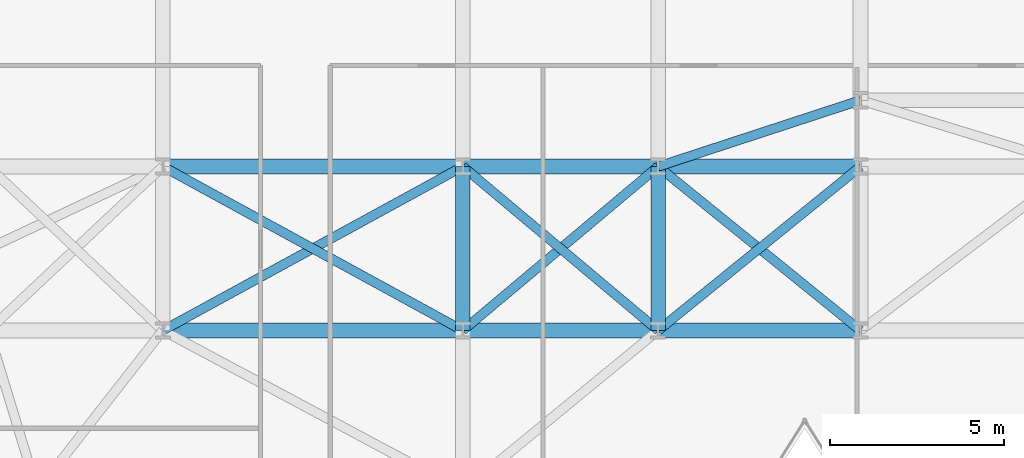
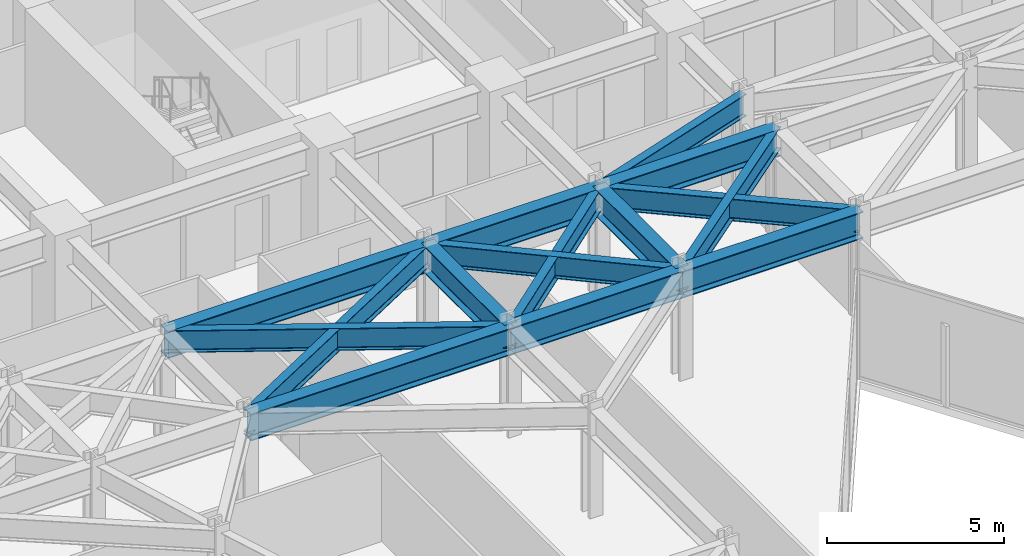
# One storey, part 11 of 24: 15 beams.
"""IFC4 building model written with IfcOpenShell, lengths in metres."""

from ifc_helpers import new_model, si_unit, direction, frame, origin, origin_2d, place, context, subcontext, project, spatial, i_section, extrude, material, material_profile, profile_set, type_object, element, save


model = new_model("IFC4")

# Units and contexts
model_context = context("Model", 3, precision=1e-05, world=origin(), true_north=direction((0.0, 1.0)))
body_context = subcontext(model_context, "Body", "Model", "MODEL_VIEW")
ifc_project = project(units=[si_unit("LENGTHUNIT", "METRE"), si_unit("AREAUNIT", "SQUARE_METRE"), si_unit("VOLUMEUNIT", "CUBIC_METRE"), si_unit("PLANEANGLEUNIT", "RADIAN"), si_unit("MASSUNIT", "GRAM", prefix="KILO")], contexts=[model_context])

# Site, building, storey
site_placement = place(None, origin())
site = spatial("IfcSite", under=ifc_project, at=site_placement, CompositionType="ELEMENT")
building_placement = place(site_placement, origin())
building = spatial("IfcBuilding", under=site, at=building_placement, Name="Kravanh Interchange Tower", CompositionType="ELEMENT")
storey_placement = place(building_placement, frame((0.0, 0.0, 69.5)))
storey = spatial("IfcBuildingStorey", under=building, at=storey_placement, Name="L16", CompositionType="ELEMENT", Elevation=69.5)

# Beams
ifc_material_1 = material(Name="Structural Steel S355", Category="steel")
ifc_material_profile_1 = material_profile(ifc_material_1, i_section(OverallWidth=0.41796875, OverallDepth=0.927001953125, WebThickness=0.019287109375, FlangeThickness=0.031982421875, FilletRadius=0.028076171875, at=origin_2d()), Name="W36X231")
ifc_profile_set_1 = profile_set([ifc_material_profile_1], Name="Structural Steel S355")
beam_type_1 = type_object("IfcBeamType", Name="Floor Beam W36X231 Structural Steel S355", PredefinedType="BEAM", material=ifc_profile_set_1)
beam_1_placement = place(storey_placement, frame((18.60009765625, 26.800048828125, 3.276611328125), z_axis=(1.0, 0.0, 0.0), x_axis=(0.0, 1.0, 0.0)))
element("IfcBeam", 1, at=beam_1_placement, inside=storey, type_object=beam_type_1, Name="L16 Primary Floor Girder 76", PredefinedType="BEAM", context=body_context, shape_type="SweptSolid", body=[
    extrude(i_section(OverallWidth=0.41796875, OverallDepth=0.927001953125, WebThickness=0.019287109375, FlangeThickness=0.031982421875, FilletRadius=0.028076171875, at=origin_2d()), origin(), (0.0, 0.0, 1.0), 8.599853515625),
])
beam_2_placement = place(storey_placement, frame((27.199951171875, 26.800048828125, 3.276611328125), z_axis=(0.0, 1.0, 0.0), x_axis=(-1.0, 0.0, 0.0)))
element("IfcBeam", 2, at=beam_2_placement, inside=storey, type_object=beam_type_1, Name="L16 Primary Floor Girder 78", PredefinedType="BEAM", context=body_context, shape_type="SweptSolid", body=[
    extrude(i_section(OverallWidth=0.41796875, OverallDepth=0.927001953125, WebThickness=0.019287109375, FlangeThickness=0.031982421875, FilletRadius=0.028076171875, at=origin_2d()), origin(), (0.0, 0.0, 1.0), 4.699951171875),
])
beam_3_placement = place(storey_placement, frame((27.199951171875, 26.800048828125, 3.276611328125), z_axis=(1.0, 0.0, 0.0), x_axis=(0.0, 1.0, 0.0)))
element("IfcBeam", 3, at=beam_3_placement, inside=storey, type_object=beam_type_1, Name="L16 Primary Floor Girder 79", PredefinedType="BEAM", context=body_context, shape_type="SweptSolid", body=[
    extrude(i_section(OverallWidth=0.41796875, OverallDepth=0.927001953125, WebThickness=0.019287109375, FlangeThickness=0.031982421875, FilletRadius=0.028076171875, at=origin_2d()), origin(), (0.0, 0.0, 1.0), 5.60009765625),
])
beam_4_placement = place(storey_placement, frame((32.800048828125, 26.800048828125, 3.276611328125), z_axis=(0.0, 1.0, 0.0), x_axis=(-1.0, 0.0, 0.0)))
element("IfcBeam", 4, at=beam_4_placement, inside=storey, type_object=beam_type_1, Name="L16 Primary Floor Girder 82", PredefinedType="BEAM", context=body_context, shape_type="SweptSolid", body=[
    extrude(i_section(OverallWidth=0.41796875, OverallDepth=0.927001953125, WebThickness=0.019287109375, FlangeThickness=0.031982421875, FilletRadius=0.028076171875, at=origin_2d()), origin(), (0.0, 0.0, 1.0), 4.699951171875),
])
beam_5_placement = place(storey_placement, frame((32.800048828125, 26.800048828125, 3.276611328125), z_axis=(1.0, 0.0, 0.0), x_axis=(0.0, 1.0, 0.0)))
element("IfcBeam", 5, at=beam_5_placement, inside=storey, type_object=beam_type_1, Name="L16 Primary Floor Girder 83", PredefinedType="BEAM", context=body_context, shape_type="SweptSolid", body=[
    extrude(i_section(OverallWidth=0.41796875, OverallDepth=0.927001953125, WebThickness=0.019287109375, FlangeThickness=0.031982421875, FilletRadius=0.028076171875, at=origin_2d()), origin(), (0.0, 0.0, 1.0), 5.800048828125),
])
beam_6_placement = place(storey_placement, frame((18.60009765625, 31.5, 3.276611328125), z_axis=(1.0, 0.0, 0.0), x_axis=(0.0, 1.0, 0.0)))
element("IfcBeam", 6, at=beam_6_placement, inside=storey, type_object=beam_type_1, Name="L16 Primary Floor Girder 106", PredefinedType="BEAM", context=body_context, shape_type="SweptSolid", body=[
    extrude(i_section(OverallWidth=0.41796875, OverallDepth=0.927001953125, WebThickness=0.019287109375, FlangeThickness=0.031982421875, FilletRadius=0.028076171875, at=origin_2d()), origin(), (0.0, 0.0, 1.0), 8.599853515625),
])
beam_7_placement = place(storey_placement, frame((27.199951171875, 31.5, 3.276611328125), z_axis=(1.0, 0.0, 0.0), x_axis=(0.0, 1.0, 0.0)))
element("IfcBeam", 7, at=beam_7_placement, inside=storey, type_object=beam_type_1, Name="L16 Primary Floor Girder 107", PredefinedType="BEAM", context=body_context, shape_type="SweptSolid", body=[
    extrude(i_section(OverallWidth=0.41796875, OverallDepth=0.927001953125, WebThickness=0.019287109375, FlangeThickness=0.031982421875, FilletRadius=0.028076171875, at=origin_2d()), origin(), (0.0, 0.0, 1.0), 5.60009765625),
])
beam_8_placement = place(storey_placement, frame((32.800048828125, 31.5, 3.276611328125), z_axis=(1.0, 0.0, 0.0), x_axis=(0.0, 1.0, 0.0)))
element("IfcBeam", 8, at=beam_8_placement, inside=storey, type_object=beam_type_1, Name="L16 Primary Floor Girder 109", PredefinedType="BEAM", context=body_context, shape_type="SweptSolid", body=[
    extrude(i_section(OverallWidth=0.41796875, OverallDepth=0.927001953125, WebThickness=0.019287109375, FlangeThickness=0.031982421875, FilletRadius=0.028076171875, at=origin_2d()), origin(), (0.0, 0.0, 1.0), 5.800048828125),
])
ifc_material_2 = material(Name="Structural Steel S355", Category="steel")
ifc_material_profile_2 = material_profile(ifc_material_2, i_section(OverallWidth=0.26708984375, OverallDepth=0.761962890625, WebThickness=0.014404296875, FlangeThickness=0.021484375, FilletRadius=0.02490234375, at=origin_2d()), Name="W30X116")
ifc_profile_set_2 = profile_set([ifc_material_profile_2], Name="Structural Steel S355")
beam_type_2 = type_object("IfcBeamType", Name="Floor Spandrel W30X116 Structural Steel S355", PredefinedType="SPANDREL", material=ifc_profile_set_2)
beam_9_placement = place(storey_placement, frame((18.60009765625, 26.800048828125, 3.35888671875), z_axis=(0.877503996342, 0.479569323877, 0.0), x_axis=(-0.479569323877, 0.877503996342, 0.0)))
element("IfcBeam", 9, at=beam_9_placement, inside=storey, type_object=beam_type_2, Name="L16 Perimeter Spandrel 77", PredefinedType="SPANDREL", context=body_context, shape_type="SweptSolid", body=[
    extrude(i_section(OverallWidth=0.26708984375, OverallDepth=0.761962890625, WebThickness=0.014404296875, FlangeThickness=0.021484375, FilletRadius=0.02490234375, at=origin_2d()), origin(), (0.0, 0.0, 1.0), 9.80029296875),
])
beam_10_placement = place(storey_placement, frame((27.199951171875, 26.800048828125, 3.35888671875), z_axis=(0.765983062929, 0.642860752657, 0.0), x_axis=(-0.642860752657, 0.765983062929, 0.0)))
element("IfcBeam", 10, at=beam_10_placement, inside=storey, type_object=beam_type_2, Name="L16 Perimeter Spandrel 80", PredefinedType="SPANDREL", context=body_context, shape_type="SweptSolid", body=[
    extrude(i_section(OverallWidth=0.26708984375, OverallDepth=0.761962890625, WebThickness=0.014404296875, FlangeThickness=0.021484375, FilletRadius=0.02490234375, at=origin_2d()), origin(), (0.0, 0.0, 1.0), 7.31103515625),
])
beam_11_placement = place(storey_placement, frame((27.199951171875, 26.800048828125, 3.35888671875), z_axis=(-0.877503996342, 0.479569323877, 0.0), x_axis=(-0.479569323877, -0.877503996342, 0.0)))
element("IfcBeam", 11, at=beam_11_placement, inside=storey, type_object=beam_type_2, Name="L16 Perimeter Spandrel 81", PredefinedType="SPANDREL", context=body_context, shape_type="SweptSolid", body=[
    extrude(i_section(OverallWidth=0.26708984375, OverallDepth=0.761962890625, WebThickness=0.014404296875, FlangeThickness=0.021484375, FilletRadius=0.02490234375, at=origin_2d()), origin(), (0.0, 0.0, 1.0), 9.80029296875),
])
beam_12_placement = place(storey_placement, frame((32.800048828125, 26.800048828125, 3.35888671875), z_axis=(-0.765983062929, 0.642860752657, 0.0), x_axis=(-0.642860752657, -0.765983062929, 0.0)))
element("IfcBeam", 12, at=beam_12_placement, inside=storey, type_object=beam_type_2, Name="L16 Perimeter Spandrel 84", PredefinedType="SPANDREL", context=body_context, shape_type="SweptSolid", body=[
    extrude(i_section(OverallWidth=0.26708984375, OverallDepth=0.761962890625, WebThickness=0.014404296875, FlangeThickness=0.021484375, FilletRadius=0.02490234375, at=origin_2d()), origin(), (0.0, 0.0, 1.0), 7.31103515625),
])
for number, where, z_axis, x_axis, name in (
    (13, (32.800048828125, 26.800048828125, 3.35888671875), (0.776938619557, 0.629576350764, 0.0), (-0.629576350764, 0.776938619557, 0.0), "L16 Perimeter Spandrel 85"),
    (14, (38.60009765625, 26.800048828125, 3.35888671875), (-0.776938619557, 0.629576350764, 0.0), (-0.629576350764, -0.776938619557, 0.0), "L16 Perimeter Spandrel 87"),
):
    element("IfcBeam", number, at=place(storey_placement, frame(where, z_axis=z_axis, x_axis=x_axis)), inside=storey, type_object=beam_type_2, Name=name, PredefinedType="SPANDREL", context=body_context, shape_type="SweptSolid", body=[
        extrude(i_section(OverallWidth=0.26708984375, OverallDepth=0.761962890625, WebThickness=0.014404296875, FlangeThickness=0.021484375, FilletRadius=0.02490234375, at=origin_2d()), origin(), (0.0, 0.0, 1.0), 7.46533203125),
    ])
beam_13_placement = place(storey_placement, frame((32.800048828125, 31.5, 3.35888671875), z_axis=(0.950314536578, 0.31129131303, 0.0), x_axis=(-0.31129131303, 0.950314536578, 0.0)))
element("IfcBeam", 15, at=beam_13_placement, inside=storey, type_object=beam_type_2, Name="L16 Perimeter Spandrel 110", PredefinedType="SPANDREL", context=body_context, shape_type="SweptSolid", body=[
    extrude(i_section(OverallWidth=0.26708984375, OverallDepth=0.761962890625, WebThickness=0.014404296875, FlangeThickness=0.021484375, FilletRadius=0.02490234375, at=origin_2d()), origin(), (0.0, 0.0, 1.0), 6.103271484375),
])

save(model, "model.ifc")
